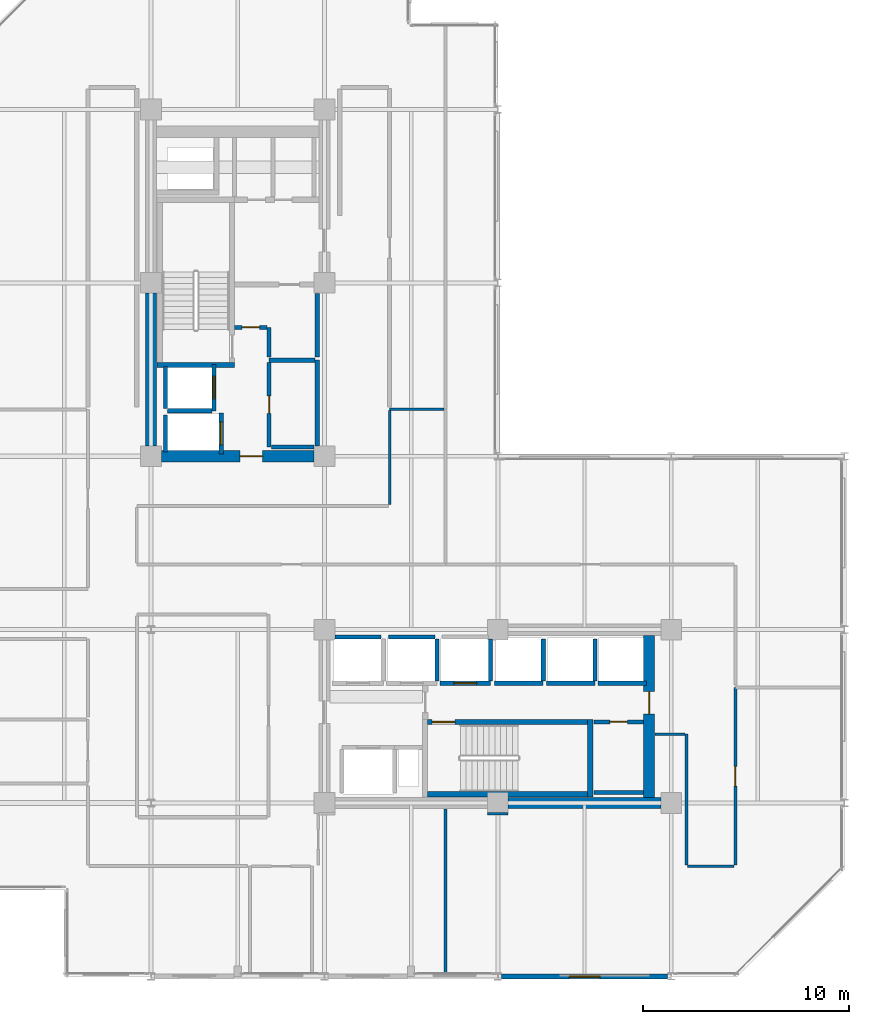
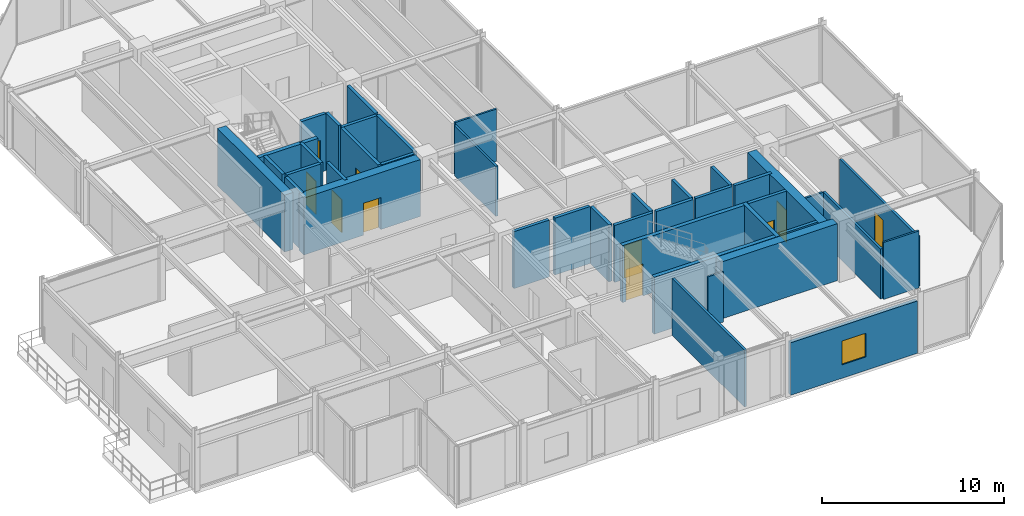
# One storey, part 25 of 29: 41 walls, 10 doors, 1 window, 11 openings.
"""IFC4 building model written with IfcOpenShell, lengths in metres."""

from ifc_helpers import new_model, si_unit, direction, frame, frame_2d, origin, place, context, subcontext, project, spatial, rectangle, extrude, material, layer, layer_set, type_object, element, fill, save


model = new_model("IFC4")

# Units and contexts
model_context = context("Model", 3, precision=1e-05, world=origin(), true_north=direction((0.0, 1.0)))
body_context = subcontext(model_context, "Body", "Model", "MODEL_VIEW")
ifc_project = project(units=[si_unit("LENGTHUNIT", "METRE"), si_unit("AREAUNIT", "SQUARE_METRE"), si_unit("VOLUMEUNIT", "CUBIC_METRE"), si_unit("PLANEANGLEUNIT", "RADIAN"), si_unit("MASSUNIT", "GRAM", prefix="KILO")], contexts=[model_context])

# Site, building, storey
site_placement = place(None, origin())
site = spatial("IfcSite", under=ifc_project, at=site_placement, CompositionType="ELEMENT")
building_placement = place(site_placement, origin())
building = spatial("IfcBuilding", under=site, at=building_placement, Name="Nerrivon Quay Data Exchange", CompositionType="ELEMENT")
storey_placement = place(building_placement, frame((0.0, 0.0, 208.300048828125)))
storey = spatial("IfcBuildingStorey", under=building, at=storey_placement, Name="L49", CompositionType="ELEMENT", Elevation=208.300048828125)

# Wall, opening, window
ifc_material_1 = material(Name="Architectural terracotta precast concrete N50 (50 MPa)", Category="masonry")
ifc_layer_1 = layer(ifc_material_1, 0.239990234375)
ifc_layer_set_1 = layer_set([ifc_layer_1], Name="Architectural terracotta precast concrete N50 (50 MPa)")
wall_type_1 = type_object("IfcWallType", Name="EW-PREC-240", PredefinedType="STANDARD", material=ifc_layer_set_1)
wall_1_placement = place(storey_placement, frame((33.425048828125, 0.0, 0.0), z_axis=(0.0, 0.0, 1.0), x_axis=(-1.0, 0.0, 0.0)))
wall_1 = element("IfcWall", 1, at=wall_1_placement, inside=storey, type_object=wall_type_1, Name="L49 Podium Precast Spandrel Wall 23", PredefinedType="STANDARD", context=body_context, shape_type="SweptSolid", body=[
    extrude(rectangle(XDim=8.050048828125, YDim=0.239990234375, at=frame_2d((4.02490234375, 0.0))), origin(), (0.0, 0.0, 1.0), 3.52490234375),
])
opening_1_placement = place(wall_1_placement, frame((3.27490234375, 0.0, 0.89990234375)))
opening_1 = element("IfcOpeningElement", 2, at=opening_1_placement, cuts=wall_1, Name="Opening WN4", PredefinedType="OPENING", context=body_context, shape_type="SweptSolid", body=[
    extrude(rectangle(XDim=1.5, YDim=1.60009765625, at=frame_2d((0.75, 0.800048828125))), frame((0.0, 0.1298828125, 0.0), z_axis=(0.0, -1.0, 0.0), x_axis=(1.0, 0.0, 0.0)), (0.0, 0.0, 1.0), 0.260009765625),
])
ifc_material_2 = material(Name="Double-glazed low-E solar control glass", Category="glass")
window_type = type_object("IfcWindowType", Name="WIN-W4-1500x1600", PartitioningType="SINGLE_PANEL", PredefinedType="WINDOW", material=ifc_material_2)
window_placement = place(opening_1_placement, origin())
window = element("IfcWindow", 3, at=window_placement, inside=storey, type_object=window_type, Name="L49 Solar Facade Window 23", OverallHeight=1.60009765625, OverallWidth=1.5, PartitioningType="SINGLE_PANEL", PredefinedType="WINDOW", context=body_context, shape_type="SweptSolid", body=[
    extrude(rectangle(XDim=1.5, YDim=1.60009765625, at=frame_2d((0.75, 0.800048828125))), frame((0.0, 0.030029296875, 0.0), z_axis=(0.0, -1.0, 0.0), x_axis=(1.0, 0.0, 0.0)), (0.0, 0.0, 1.0), 0.06005859375),
])
fill(opening_1, window)

# Wall
ifc_material_3 = material(Name="Concrete S65 (65 MPa)", Category="concrete")
ifc_layer_2 = layer(ifc_material_3, 0.550048828125)
ifc_layer_set_2 = layer_set([ifc_layer_2], Name="Concrete S65 (65 MPa)")
wall_type_2 = type_object("IfcWallType", Name="WALL-CW-700", PredefinedType="SHEAR", material=ifc_layer_set_2)
wall_2_placement = place(storey_placement, frame((8.39990234375, 25.699951171875, 0.0), z_axis=(0.0, 0.0, 1.0), x_axis=(0.0, 1.0, 0.0)))
element("IfcWall", 4, at=wall_2_placement, inside=storey, type_object=wall_type_2, Name="L49 West Split-Core Shear Wall WCW-W1", PredefinedType="SHEAR", context=body_context, shape_type="SweptSolid", body=[
    extrude(rectangle(XDim=7.400146484375, YDim=0.550048828125, at=frame_2d((3.7001953125, 0.0))), origin(), (0.0, 0.0, 1.0), 3.824951171875),
])

# Wall, opening, door
wall_3_placement = place(storey_placement, frame((8.89990234375, 25.199951171875, 0.0), z_axis=(0.0, 0.0, 1.0), x_axis=(1.0, 0.0, 0.0)))
wall_3 = element("IfcWall", 5, at=wall_3_placement, inside=storey, type_object=wall_type_2, Name="L49 West Split-Core Shear Wall WCW-S1", PredefinedType="SHEAR", context=body_context, shape_type="SweptSolid", body=[
    extrude(rectangle(XDim=7.400146484375, YDim=0.550048828125, at=frame_2d((3.7001953125, 0.0))), origin(), (0.0, 0.0, 1.0), 3.824951171875),
])
opening_2_placement = place(wall_3_placement, frame((3.800048828125, 0.0, 0.0)))
opening_2 = element("IfcOpeningElement", 6, at=opening_2_placement, cuts=wall_3, Name="Opening FD-120", PredefinedType="OPENING", context=body_context, shape_type="SweptSolid", body=[
    extrude(rectangle(XDim=1.10009765625, YDim=2.14990234375, at=frame_2d((0.550048828125, 1.074951171875))), frame((0.0, 0.284912109375, 0.0), z_axis=(0.0, -1.0, 0.0), x_axis=(1.0, 0.0, 0.0)), (0.0, 0.0, 1.0), 0.570068359375),
])
ifc_material_4 = material(Name="Powder-coated galvanized steel sheet", Category="steel")
door_type_1 = type_object("IfcDoorType", Name="DR-FD120-1100", OperationType="NOTDEFINED", PredefinedType="DOOR", material=ifc_material_4)
door_1_placement = place(opening_2_placement, origin())
door_1 = element("IfcDoor", 7, at=door_1_placement, inside=storey, type_object=door_type_1, Name="L49 West Core Lobby Fire Door", OperationType="SINGLE_SWING_RIGHT", OverallHeight=2.14990234375, OverallWidth=1.10009765625, PredefinedType="DOOR", context=body_context, shape_type="SweptSolid", body=[
    extrude(rectangle(XDim=1.10009765625, YDim=2.14990234375, at=frame_2d((0.550048828125, 1.074951171875))), frame((0.0, 0.02490234375, 0.0), z_axis=(0.0, -1.0, 0.0), x_axis=(1.0, 0.0, 0.0)), (0.0, 0.0, 1.0), 0.050048828125),
])
fill(opening_2, door_1)

# Wall
wall_4_placement = place(storey_placement, frame((25.699951171875, 8.39990234375, 0.0), z_axis=(0.0, 0.0, 1.0), x_axis=(1.0, 0.0, 0.0)))
element("IfcWall", 8, at=wall_4_placement, inside=storey, type_object=wall_type_2, Name="L49 East Split-Core Shear Wall ECW-S2", PredefinedType="SHEAR", context=body_context, shape_type="SweptSolid", body=[
    extrude(rectangle(XDim=7.400146484375, YDim=0.550048828125, at=frame_2d((3.7001953125, 0.0))), origin(), (0.0, 0.0, 1.0), 3.824951171875),
])

# Wall, opening, door
wall_5_placement = place(storey_placement, frame((32.52490234375, 8.675048828125, 0.0), z_axis=(0.0, 0.0, 1.0), x_axis=(0.0, 1.0, 0.0)))
wall_5 = element("IfcWall", 9, at=wall_5_placement, inside=storey, type_object=wall_type_2, Name="L49 East Split-Core Shear Wall ECW-E1", PredefinedType="SHEAR", context=body_context, shape_type="SweptSolid", body=[
    extrude(rectangle(XDim=7.849853515625, YDim=0.550048828125, at=frame_2d((3.9248046875, 0.0))), origin(), (0.0, 0.0, 1.0), 3.824951171875),
])
opening_3_placement = place(wall_5_placement, frame((4.02490234375, 0.0, 0.0)))
opening_3 = element("IfcOpeningElement", 10, at=opening_3_placement, cuts=wall_5, Name="Opening FD-120", PredefinedType="OPENING", context=body_context, shape_type="SweptSolid", body=[
    extrude(rectangle(XDim=1.10009765625, YDim=2.14990234375, at=frame_2d((0.550048828125, 1.074951171875))), frame((0.0, 0.284912109375, 0.0), z_axis=(0.0, -1.0, 0.0), x_axis=(1.0, 0.0, 0.0)), (0.0, 0.0, 1.0), 0.570068359375),
])
door_2_placement = place(opening_3_placement, origin())
door_2 = element("IfcDoor", 11, at=door_2_placement, inside=storey, type_object=door_type_1, Name="L49 East Core Lobby Fire Door", OperationType="SINGLE_SWING_LEFT", OverallHeight=2.14990234375, OverallWidth=1.10009765625, PredefinedType="DOOR", context=body_context, shape_type="SweptSolid", body=[
    extrude(rectangle(XDim=1.10009765625, YDim=2.14990234375, at=frame_2d((0.550048828125, 1.074951171875))), frame((0.0, 0.02490234375, 0.0), z_axis=(0.0, -1.0, 0.0), x_axis=(1.0, 0.0, 0.0)), (0.0, 0.0, 1.0), 0.050048828125),
])
fill(opening_3, door_2)

ifc_material_5 = material(Name="Gypsum plasterboard on cold-formed framing", Category="gypsum")
ifc_layer_3 = layer(ifc_material_5, 0.199951171875)
ifc_layer_set_3 = layer_set([ifc_layer_3], Name="Gypsum plasterboard on cold-formed framing")
wall_type_3 = type_object("IfcWallType", Name="WALL-FW-200", PredefinedType="PARTITIONING", material=ifc_layer_set_3)
wall_6_placement = place(storey_placement, frame((11.449951171875, 27.39990234375, 0.0), z_axis=(0.0, 0.0, 1.0), x_axis=(0.0, 1.0, 0.0)))
wall_6 = element("IfcWall", 12, at=wall_6_placement, inside=storey, type_object=wall_type_3, Name="L49 Lift Front Wall FFL-1", PredefinedType="PARTITIONING", context=body_context, shape_type="SweptSolid", body=[
    extrude(rectangle(XDim=2.25, YDim=0.199951171875, at=frame_2d((1.125, 0.0))), origin(), (0.0, 0.0, 1.0), 3.824951171875),
])
opening_4_placement = place(wall_6_placement, frame((0.574951171875, 0.0, 0.0)))
opening_4 = element("IfcOpeningElement", 13, at=opening_4_placement, cuts=wall_6, Name="Opening LD-120", PredefinedType="OPENING", context=body_context, shape_type="SweptSolid", body=[
    extrude(rectangle(XDim=1.10009765625, YDim=2.199951171875, at=frame_2d((0.550048828125, 1.10009765625))), frame((0.0, 0.10986328125, 0.0), z_axis=(0.0, -1.0, 0.0), x_axis=(1.0, 0.0, 0.0)), (0.0, 0.0, 1.0), 0.219970703125),
])
door_type_2 = type_object("IfcDoorType", Name="DR-LIFT-LD120", OperationType="DOUBLE_DOOR_SLIDING", PredefinedType="DOOR", material=ifc_material_4)
door_3_placement = place(opening_4_placement, origin())
door_3 = element("IfcDoor", 14, at=door_3_placement, inside=storey, type_object=door_type_2, Name="L49 Lift Landing Sliding Door FFL-1", OperationType="DOUBLE_DOOR_SLIDING", OverallHeight=2.199951171875, OverallWidth=1.10009765625, PredefinedType="DOOR", context=body_context, shape_type="SweptSolid", body=[
    extrude(rectangle(XDim=1.10009765625, YDim=2.199951171875, at=frame_2d((0.550048828125, 1.10009765625))), frame((0.0, 0.02490234375, 0.0), z_axis=(0.0, -1.0, 0.0), x_axis=(1.0, 0.0, 0.0)), (0.0, 0.0, 1.0), 0.050048828125),
])
fill(opening_4, door_3)

# Walls
wall_7_placement = place(storey_placement, frame((9.10009765625, 27.5, 0.0), z_axis=(0.0, 0.0, 1.0), x_axis=(0.0, 1.0, 0.0)))
element("IfcWall", 15, at=wall_7_placement, inside=storey, type_object=wall_type_3, Name="L49 Lift Shaft Wall FFL-1 WEST", PredefinedType="PARTITIONING", context=body_context, shape_type="SweptSolid", body=[
    extrude(rectangle(XDim=2.050048828125, YDim=0.199951171875, at=frame_2d((1.02490234375, 0.0))), origin(), (0.0, 0.0, 1.0), 3.824951171875),
])
wall_8_placement = place(storey_placement, frame((9.199951171875, 27.39990234375, 0.0), z_axis=(0.0, 0.0, 1.0), x_axis=(1.0, 0.0, 0.0)))
element("IfcWall", 16, at=wall_8_placement, inside=storey, type_object=wall_type_3, Name="L49 Lift Shaft Wall FFL-1 SOUTH", PredefinedType="PARTITIONING", context=body_context, shape_type="SweptSolid", body=[
    extrude(rectangle(XDim=2.150146484375, YDim=0.199951171875, at=frame_2d((1.0751953125, 0.0))), origin(), (0.0, 0.0, 1.0), 3.824951171875),
])

# Wall, opening, door
wall_9_placement = place(storey_placement, frame((11.800048828125, 25.300048828125, 0.0), z_axis=(0.0, 0.0, 1.0), x_axis=(0.0, 1.0, 0.0)))
wall_9 = element("IfcWall", 17, at=wall_9_placement, inside=storey, type_object=wall_type_3, Name="L49 Lift Front Wall SVL-1", PredefinedType="PARTITIONING", context=body_context, shape_type="SweptSolid", body=[
    extrude(rectangle(XDim=2.0, YDim=0.199951171875, at=frame_2d((1.0, 0.0))), origin(), (0.0, 0.0, 1.0), 3.824951171875),
])
opening_5_placement = place(wall_9_placement, frame((0.449951171875, 0.0, 0.0)))
opening_5 = element("IfcOpeningElement", 18, at=opening_5_placement, cuts=wall_9, Name="Opening LD-120", PredefinedType="OPENING", context=body_context, shape_type="SweptSolid", body=[
    extrude(rectangle(XDim=1.10009765625, YDim=2.199951171875, at=frame_2d((0.550048828125, 1.10009765625))), frame((0.0, 0.10986328125, 0.0), z_axis=(0.0, -1.0, 0.0), x_axis=(1.0, 0.0, 0.0)), (0.0, 0.0, 1.0), 0.219970703125),
])
door_4_placement = place(opening_5_placement, origin())
door_4 = element("IfcDoor", 19, at=door_4_placement, inside=storey, type_object=door_type_2, Name="L49 Lift Landing Sliding Door SVL-1", OperationType="DOUBLE_DOOR_SLIDING", OverallHeight=2.199951171875, OverallWidth=1.10009765625, PredefinedType="DOOR", context=body_context, shape_type="SweptSolid", body=[
    extrude(rectangle(XDim=1.10009765625, YDim=2.199951171875, at=frame_2d((0.550048828125, 1.10009765625))), frame((0.0, 0.02490234375, 0.0), z_axis=(0.0, -1.0, 0.0), x_axis=(1.0, 0.0, 0.0)), (0.0, 0.0, 1.0), 0.050048828125),
])
fill(opening_5, door_4)

# Walls
wall_10_placement = place(storey_placement, frame((9.10009765625, 25.39990234375, 0.0), z_axis=(0.0, 0.0, 1.0), x_axis=(0.0, 1.0, 0.0)))
element("IfcWall", 20, at=wall_10_placement, inside=storey, type_object=wall_type_3, Name="L49 Lift Shaft Wall SVL-1 WEST", PredefinedType="PARTITIONING", context=body_context, shape_type="SweptSolid", body=[
    extrude(rectangle(XDim=1.800048828125, YDim=0.199951171875, at=frame_2d((0.89990234375, 0.0))), origin(), (0.0, 0.0, 1.0), 3.824951171875),
])
wall_11_placement = place(storey_placement, frame((17.300048828125, 16.449951171875, 0.0), z_axis=(0.0, 0.0, 1.0), x_axis=(1.0, 0.0, 0.0)))
element("IfcWall", 21, at=wall_11_placement, inside=storey, type_object=wall_type_3, Name="L49 Lift Shaft Wall PL4 NORTH", PredefinedType="PARTITIONING", context=body_context, shape_type="SweptSolid", body=[
    extrude(rectangle(XDim=2.25, YDim=0.199951171875, at=frame_2d((1.125, 0.0))), origin(), (0.0, 0.0, 1.0), 3.824951171875),
])
wall_12_placement = place(storey_placement, frame((22.25, 14.300048828125, 0.0), z_axis=(0.0, 0.0, 1.0), x_axis=(0.0, 1.0, 0.0)))
element("IfcWall", 22, at=wall_12_placement, inside=storey, type_object=wall_type_3, Name="L49 Lift Shaft Wall PL5 EAST", PredefinedType="PARTITIONING", context=body_context, shape_type="SweptSolid", body=[
    extrude(rectangle(XDim=2.050048828125, YDim=0.199951171875, at=frame_2d((1.02490234375, 0.0))), origin(), (0.0, 0.0, 1.0), 3.824951171875),
])
wall_13_placement = place(storey_placement, frame((19.89990234375, 16.449951171875, 0.0), z_axis=(0.0, 0.0, 1.0), x_axis=(1.0, 0.0, 0.0)))
element("IfcWall", 23, at=wall_13_placement, inside=storey, type_object=wall_type_3, Name="L49 Lift Shaft Wall PL5 NORTH", PredefinedType="PARTITIONING", context=body_context, shape_type="SweptSolid", body=[
    extrude(rectangle(XDim=2.25, YDim=0.199951171875, at=frame_2d((1.125, 0.0))), origin(), (0.0, 0.0, 1.0), 3.824951171875),
])

# Wall, opening, door
wall_14_placement = place(storey_placement, frame((22.39990234375, 14.199951171875, 0.0), z_axis=(0.0, 0.0, 1.0), x_axis=(1.0, 0.0, 0.0)))
wall_14 = element("IfcWall", 24, at=wall_14_placement, inside=storey, type_object=wall_type_3, Name="L49 Lift Front Wall PL6", PredefinedType="PARTITIONING", context=body_context, shape_type="SweptSolid", body=[
    extrude(rectangle(XDim=2.4501953125, YDim=0.199951171875, at=frame_2d((1.22509765625, 0.0))), origin(), (0.0, 0.0, 1.0), 3.824951171875),
])
opening_6_placement = place(wall_14_placement, frame((0.675048828125, 0.0, 0.0)))
opening_6 = element("IfcOpeningElement", 25, at=opening_6_placement, cuts=wall_14, Name="Opening LD-120", PredefinedType="OPENING", context=body_context, shape_type="SweptSolid", body=[
    extrude(rectangle(XDim=1.10009765625, YDim=2.199951171875, at=frame_2d((0.550048828125, 1.10009765625))), frame((0.0, 0.10986328125, 0.0), z_axis=(0.0, -1.0, 0.0), x_axis=(1.0, 0.0, 0.0)), (0.0, 0.0, 1.0), 0.219970703125),
])
door_5_placement = place(opening_6_placement, origin())
door_5 = element("IfcDoor", 26, at=door_5_placement, inside=storey, type_object=door_type_2, Name="L49 Lift Landing Sliding Door PL6", OperationType="DOUBLE_DOOR_SLIDING", OverallHeight=2.199951171875, OverallWidth=1.10009765625, PredefinedType="DOOR", context=body_context, shape_type="SweptSolid", body=[
    extrude(rectangle(XDim=1.10009765625, YDim=2.199951171875, at=frame_2d((0.550048828125, 1.10009765625))), frame((0.0, 0.02490234375, 0.0), z_axis=(0.0, -1.0, 0.0), x_axis=(1.0, 0.0, 0.0)), (0.0, 0.0, 1.0), 0.050048828125),
])
fill(opening_6, door_5)

# Walls
wall_15_placement = place(storey_placement, frame((24.85009765625, 14.300048828125, 0.0), z_axis=(0.0, 0.0, 1.0), x_axis=(0.0, 1.0, 0.0)))
element("IfcWall", 27, at=wall_15_placement, inside=storey, type_object=wall_type_3, Name="L49 Lift Shaft Wall PL6 EAST", PredefinedType="PARTITIONING", context=body_context, shape_type="SweptSolid", body=[
    extrude(rectangle(XDim=2.050048828125, YDim=0.199951171875, at=frame_2d((1.02490234375, 0.0))), origin(), (0.0, 0.0, 1.0), 3.824951171875),
])
wall_16_placement = place(storey_placement, frame((25.050048828125, 14.199951171875, 0.0), z_axis=(0.0, 0.0, 1.0), x_axis=(1.0, 0.0, 0.0)))
element("IfcWall", 28, at=wall_16_placement, inside=storey, type_object=wall_type_3, Name="L49 Lift Front Wall PL7", PredefinedType="PARTITIONING", context=body_context, shape_type="SweptSolid", body=[
    extrude(rectangle(XDim=2.349853515625, YDim=0.199951171875, at=frame_2d((1.1748046875, 0.0))), origin(), (0.0, 0.0, 1.0), 3.824951171875),
])
wall_17_placement = place(storey_placement, frame((27.39990234375, 14.300048828125, 0.0), z_axis=(0.0, 0.0, 1.0), x_axis=(0.0, 1.0, 0.0)))
element("IfcWall", 29, at=wall_17_placement, inside=storey, type_object=wall_type_3, Name="L49 Lift Shaft Wall PL7 EAST", PredefinedType="PARTITIONING", context=body_context, shape_type="SweptSolid", body=[
    extrude(rectangle(XDim=2.050048828125, YDim=0.199951171875, at=frame_2d((1.02490234375, 0.0))), origin(), (0.0, 0.0, 1.0), 3.824951171875),
])
wall_18_placement = place(storey_placement, frame((27.550048828125, 14.199951171875, 0.0), z_axis=(0.0, 0.0, 1.0), x_axis=(1.0, 0.0, 0.0)))
element("IfcWall", 30, at=wall_18_placement, inside=storey, type_object=wall_type_3, Name="L49 Lift Front Wall PL8", PredefinedType="PARTITIONING", context=body_context, shape_type="SweptSolid", body=[
    extrude(rectangle(XDim=2.349853515625, YDim=0.199951171875, at=frame_2d((1.1748046875, 0.0))), origin(), (0.0, 0.0, 1.0), 3.824951171875),
])
wall_19_placement = place(storey_placement, frame((29.89990234375, 14.300048828125, 0.0), z_axis=(0.0, 0.0, 1.0), x_axis=(0.0, 1.0, 0.0)))
element("IfcWall", 31, at=wall_19_placement, inside=storey, type_object=wall_type_3, Name="L49 Lift Shaft Wall PL8 EAST", PredefinedType="PARTITIONING", context=body_context, shape_type="SweptSolid", body=[
    extrude(rectangle(XDim=2.050048828125, YDim=0.199951171875, at=frame_2d((1.02490234375, 0.0))), origin(), (0.0, 0.0, 1.0), 3.824951171875),
])
wall_20_placement = place(storey_placement, frame((30.050048828125, 14.199951171875, 0.0), z_axis=(0.0, 0.0, 1.0), x_axis=(1.0, 0.0, 0.0)))
element("IfcWall", 32, at=wall_20_placement, inside=storey, type_object=wall_type_3, Name="L49 Lift Front Wall PL9", PredefinedType="PARTITIONING", context=body_context, shape_type="SweptSolid", body=[
    extrude(rectangle(XDim=2.349853515625, YDim=0.199951171875, at=frame_2d((1.1748046875, 0.0))), origin(), (0.0, 0.0, 1.0), 3.824951171875),
])
wall_21_placement = place(storey_placement, frame((16.449951171875, 25.705078125, 0.0), z_axis=(0.0, 0.0, 1.0), x_axis=(0.0, 1.0, 0.0)))
element("IfcWall", 33, at=wall_21_placement, inside=storey, type_object=wall_type_3, Name="L49 Partition Telemetry Hub Closet", PredefinedType="PARTITIONING", context=body_context, shape_type="SweptSolid", body=[
    extrude(rectangle(XDim=4.14501953125, YDim=0.199951171875, at=frame_2d((2.072509765625, 0.0))), origin(), (0.0, 0.0, 1.0), 3.824951171875),
])
wall_22_placement = place(storey_placement, frame((16.345947265625, 29.85009765625, 0.0), z_axis=(0.0, 0.0, 1.0), x_axis=(-1.0, 0.0, 0.0)))
element("IfcWall", 34, at=wall_22_placement, inside=storey, type_object=wall_type_3, Name="L49 Partition Telemetry Hub Closet", PredefinedType="PARTITIONING", context=body_context, shape_type="SweptSolid", body=[
    extrude(rectangle(XDim=2.225830078125, YDim=0.199951171875, at=frame_2d((1.11279296875, 0.0))), origin(), (0.0, 0.0, 1.0), 3.824951171875),
])

# Wall, opening, door
wall_23_placement = place(storey_placement, frame((14.1201171875, 29.74609375, 0.0), z_axis=(0.0, 0.0, 1.0), x_axis=(0.0, -1.0, 0.0)))
wall_23 = element("IfcWall", 35, at=wall_23_placement, inside=storey, type_object=wall_type_3, Name="L49 Partition Telemetry Hub Closet", PredefinedType="PARTITIONING", context=body_context, shape_type="SweptSolid", body=[
    extrude(rectangle(XDim=4.09619140625, YDim=0.199951171875, at=frame_2d((2.048095703125, 0.0))), origin(), (0.0, 0.0, 1.0), 3.824951171875),
])
opening_7_placement = place(wall_23_placement, frame((1.623046875, 0.0, 0.0)))
opening_7 = element("IfcOpeningElement", 36, at=opening_7_placement, cuts=wall_23, Name="Opening FD-60S", PredefinedType="OPENING", context=body_context, shape_type="SweptSolid", body=[
    extrude(rectangle(XDim=0.85009765625, YDim=2.14990234375, at=frame_2d((0.425048828125, 1.074951171875))), frame((0.0, 0.10986328125, 0.0), z_axis=(0.0, -1.0, 0.0), x_axis=(1.0, 0.0, 0.0)), (0.0, 0.0, 1.0), 0.219970703125),
])
ifc_material_6 = material(Name="Engineered hardwood timber", Category="wood")
door_type_3 = type_object("IfcDoorType", Name="DR-FD60-850", OperationType="NOTDEFINED", PredefinedType="DOOR", material=ifc_material_6)
door_6_placement = place(opening_7_placement, origin())
door_6 = element("IfcDoor", 37, at=door_6_placement, inside=storey, type_object=door_type_3, Name="L49 Door Telemetry Hub Closet", OperationType="SINGLE_SWING_LEFT", OverallHeight=2.14990234375, OverallWidth=0.85009765625, PredefinedType="DOOR", context=body_context, shape_type="SweptSolid", body=[
    extrude(rectangle(XDim=0.85009765625, YDim=2.14990234375, at=frame_2d((0.425048828125, 1.074951171875))), frame((0.0, 0.02490234375, 0.0), z_axis=(0.0, -1.0, 0.0), x_axis=(1.0, 0.0, 0.0)), (0.0, 0.0, 1.0), 0.050048828125),
])
fill(opening_7, door_6)

# Walls
wall_24_placement = place(storey_placement, frame((14.22412109375, 25.64990234375, 0.0), z_axis=(0.0, 0.0, 1.0), x_axis=(1.0, 0.0, 0.0)))
element("IfcWall", 38, at=wall_24_placement, inside=storey, type_object=wall_type_3, Name="L49 Partition Telemetry Hub Closet", PredefinedType="PARTITIONING", context=body_context, shape_type="SweptSolid", body=[
    extrude(rectangle(XDim=2.07080078125, YDim=0.199951171875, at=frame_2d((1.035400390625, 0.0))), origin(), (0.0, 0.0, 1.0), 3.824951171875),
])
wall_25_placement = place(storey_placement, frame((14.1201171875, 31.43994140625, 0.0), z_axis=(0.0, 0.0, 1.0), x_axis=(0.0, -1.0, 0.0)))
element("IfcWall", 39, at=wall_25_placement, inside=storey, type_object=wall_type_3, Name="L49 Partition Core Equipment Store", PredefinedType="PARTITIONING", context=body_context, shape_type="SweptSolid", body=[
    extrude(rectangle(XDim=1.43994140625, YDim=0.199951171875, at=frame_2d((0.719970703125, 0.0))), origin(), (0.0, 0.0, 1.0), 3.824951171875),
])
wall_26_placement = place(storey_placement, frame((16.449951171875, 30.0, 0.0), z_axis=(0.0, 0.0, 1.0), x_axis=(0.0, 1.0, 0.0)))
element("IfcWall", 40, at=wall_26_placement, inside=storey, type_object=wall_type_3, Name="L49 Partition Core Equipment Store", PredefinedType="PARTITIONING", context=body_context, shape_type="SweptSolid", body=[
    extrude(rectangle(XDim=3.094970703125, YDim=0.199951171875, at=frame_2d((1.54736328125, 0.0))), origin(), (0.0, 0.0, 1.0), 3.824951171875),
])

# Wall, opening, door
wall_27_placement = place(storey_placement, frame((12.4541015625, 31.43994140625, 0.0), z_axis=(0.0, 0.0, 1.0), x_axis=(1.0, 0.0, 0.0)))
wall_27 = element("IfcWall", 41, at=wall_27_placement, inside=storey, type_object=wall_type_3, Name="L49 Partition Core Equipment Store", PredefinedType="PARTITIONING", context=body_context, shape_type="SweptSolid", body=[
    extrude(rectangle(XDim=1.56201171875, YDim=0.199951171875, at=frame_2d((0.781005859375, 0.0))), origin(), (0.0, 0.0, 1.0), 3.824951171875),
])
opening_8_placement = place(wall_27_placement, frame((0.35595703125, 0.0, 0.0)))
opening_8 = element("IfcOpeningElement", 42, at=opening_8_placement, cuts=wall_27, Name="Opening FD-60S", PredefinedType="OPENING", context=body_context, shape_type="SweptSolid", body=[
    extrude(rectangle(XDim=0.85009765625, YDim=2.14990234375, at=frame_2d((0.425048828125, 1.074951171875))), frame((0.0, 0.10986328125, 0.0), z_axis=(0.0, -1.0, 0.0), x_axis=(1.0, 0.0, 0.0)), (0.0, 0.0, 1.0), 0.219970703125),
])
door_7_placement = place(opening_8_placement, origin())
door_7 = element("IfcDoor", 43, at=door_7_placement, inside=storey, type_object=door_type_3, Name="L49 Door Core Equipment Store", OperationType="SINGLE_SWING_RIGHT", OverallHeight=2.14990234375, OverallWidth=0.85009765625, PredefinedType="DOOR", context=body_context, shape_type="SweptSolid", body=[
    extrude(rectangle(XDim=0.85009765625, YDim=2.14990234375, at=frame_2d((0.425048828125, 1.074951171875))), frame((0.0, 0.02490234375, 0.0), z_axis=(0.0, -1.0, 0.0), x_axis=(1.0, 0.0, 0.0)), (0.0, 0.0, 1.0), 0.050048828125),
])
fill(opening_8, door_7)

wall_28_placement = place(storey_placement, frame((32.24609375, 12.330078125, 0.0), z_axis=(0.0, 0.0, 1.0), x_axis=(-1.0, 0.0, 0.0)))
wall_28 = element("IfcWall", 44, at=wall_28_placement, inside=storey, type_object=wall_type_3, Name="L49 Partition East Supply Store", PredefinedType="PARTITIONING", context=body_context, shape_type="SweptSolid", body=[
    extrude(rectangle(XDim=2.39599609375, YDim=0.199951171875, at=frame_2d((1.197998046875, 0.0))), origin(), (0.0, 0.0, 1.0), 3.824951171875),
])
opening_9_placement = place(wall_28_placement, frame((0.77294921875, 0.0, 0.0)))
opening_9 = element("IfcOpeningElement", 45, at=opening_9_placement, cuts=wall_28, Name="Opening FD-60S", PredefinedType="OPENING", context=body_context, shape_type="SweptSolid", body=[
    extrude(rectangle(XDim=0.85009765625, YDim=2.14990234375, at=frame_2d((0.425048828125, 1.074951171875))), frame((0.0, 0.10986328125, 0.0), z_axis=(0.0, -1.0, 0.0), x_axis=(1.0, 0.0, 0.0)), (0.0, 0.0, 1.0), 0.219970703125),
])
door_8_placement = place(opening_9_placement, origin())
door_8 = element("IfcDoor", 46, at=door_8_placement, inside=storey, type_object=door_type_3, Name="L49 Door East Supply Store", OperationType="SINGLE_SWING_LEFT", OverallHeight=2.14990234375, OverallWidth=0.85009765625, PredefinedType="DOOR", context=body_context, shape_type="SweptSolid", body=[
    extrude(rectangle(XDim=0.85009765625, YDim=2.14990234375, at=frame_2d((0.425048828125, 1.074951171875))), frame((0.0, 0.02490234375, 0.0), z_axis=(0.0, -1.0, 0.0), x_axis=(1.0, 0.0, 0.0)), (0.0, 0.0, 1.0), 0.050048828125),
])
fill(opening_9, door_8)

# Walls
wall_29_placement = place(storey_placement, frame((29.85009765625, 8.89990234375, 0.0), z_axis=(0.0, 0.0, 1.0), x_axis=(1.0, 0.0, 0.0)))
element("IfcWall", 47, at=wall_29_placement, inside=storey, type_object=wall_type_3, Name="L49 Partition East Supply Store", PredefinedType="PARTITIONING", context=body_context, shape_type="SweptSolid", body=[
    extrude(rectangle(XDim=2.39599609375, YDim=0.199951171875, at=frame_2d((1.197998046875, 0.0))), origin(), (0.0, 0.0, 1.0), 3.824951171875),
])
ifc_layer_4 = layer(ifc_material_5, 0.1201171875)
ifc_layer_set_4 = layer_set([ifc_layer_4], Name="Gypsum plasterboard on cold-formed framing")
wall_type_4 = type_object("IfcWallType", Name="WALL-PT-120", PredefinedType="PARTITIONING", material=ifc_layer_set_4)
wall_30_placement = place(storey_placement, frame((22.593994140625, 27.46923828125, 0.0), z_axis=(0.0, 0.0, 1.0), x_axis=(-1.0, 0.0, 0.0)))
element("IfcWall", 48, at=wall_30_placement, inside=storey, type_object=wall_type_4, Name="L49 Partition Network Security Control", PredefinedType="PARTITIONING", context=body_context, shape_type="SweptSolid", body=[
    extrude(rectangle(XDim=2.634033203125, YDim=0.1201171875, at=frame_2d((1.31689453125, 0.0))), origin(), (0.0, 0.0, 1.0), 3.51806640625),
])
wall_31_placement = place(storey_placement, frame((36.64990234375, 5.340087890625, 0.0), z_axis=(0.0, 0.0, 1.0), x_axis=(-1.0, 0.0, 0.0)))
element("IfcWall", 49, at=wall_31_placement, inside=storey, type_object=wall_type_4, Name="L49 Partition Quiet Reading Room", PredefinedType="PARTITIONING", context=body_context, shape_type="SweptSolid", body=[
    extrude(rectangle(XDim=2.25, YDim=0.1201171875, at=frame_2d((1.125, 0.0))), origin(), (0.0, 0.0, 1.0), 3.824951171875),
])
wall_32_placement = place(storey_placement, frame((34.260986328125, 11.739990234375, 0.0), z_axis=(0.0, 0.0, 1.0), x_axis=(-1.0, 0.0, 0.0)))
element("IfcWall", 50, at=wall_32_placement, inside=storey, type_object=wall_type_4, Name="L49 Partition Quiet Reading Room", PredefinedType="PARTITIONING", context=body_context, shape_type="SweptSolid", body=[
    extrude(rectangle(XDim=1.45703125, YDim=0.1201171875, at=frame_2d((0.728515625, 0.0))), origin(), (0.0, 0.0, 1.0), 3.370849609375),
])
wall_33_placement = place(storey_placement, frame((25.703857421875, 7.88037109375, 0.0), z_axis=(0.0, 0.0, 1.0), x_axis=(-0.999999881717, -0.000486381265, 0.0)))
element("IfcWall", 51, at=wall_33_placement, inside=storey, type_object=wall_type_4, Name="L49 Partition Quiet Reading Room", PredefinedType="PARTITIONING", context=body_context, shape_type="SweptSolid", body=[
    extrude(rectangle(XDim=1.00390625, YDim=0.1201171875, at=frame_2d((0.501953125, 0.0))), origin(), (0.0, 0.0, 1.0), 3.370849609375),
])
ifc_layer_5 = layer(ifc_material_5, 0.135009765625)
ifc_layer_set_5 = layer_set([ifc_layer_5], Name="Gypsum plasterboard on cold-formed framing")
wall_type_5 = type_object("IfcWallType", Name="WALL-PT-135", PredefinedType="PARTITIONING", material=ifc_layer_set_5)
wall_34_placement = place(storey_placement, frame((19.9599609375, 27.4052734375, 0.0), z_axis=(0.0, 0.0, 1.0), x_axis=(0.0, -1.0, 0.0)))
element("IfcWall", 52, at=wall_34_placement, inside=storey, type_object=wall_type_5, Name="L49 Partition Network Security Control", PredefinedType="PARTITIONING", context=body_context, shape_type="SweptSolid", body=[
    extrude(rectangle(XDim=4.55517578125, YDim=0.135009765625, at=frame_2d((2.277587890625, 0.0))), origin(), (0.0, 0.0, 1.0), 3.364990234375),
])
ifc_layer_6 = layer(ifc_material_5, 0.14990234375)
ifc_layer_set_6 = layer_set([ifc_layer_6], Name="Gypsum plasterboard on cold-formed framing")
wall_type_6 = type_object("IfcWallType", Name="WALL-PT-150", PredefinedType="PARTITIONING", material=ifc_layer_set_6)
wall_35_placement = place(storey_placement, frame((22.673095703125, 0.1689453125, 0.0), z_axis=(0.0, 0.0, 1.0), x_axis=(0.0, 1.0, 0.0)))
element("IfcWall", 53, at=wall_35_placement, inside=storey, type_object=wall_type_6, Name="L49 Partition Staff Pantry", PredefinedType="PARTITIONING", context=body_context, shape_type="SweptSolid", body=[
    extrude(rectangle(XDim=7.9521484375, YDim=0.14990234375, at=frame_2d((3.97607421875, 0.0))), origin(), (0.0, 0.0, 1.0), 3.824951171875),
])

# Wall, opening, door
wall_36_placement = place(storey_placement, frame((36.7099609375, 14.000244140625, 0.0), z_axis=(0.0, 0.0, 1.0), x_axis=(-2.836799e-05, -0.999999999598, 0.0)))
wall_36 = element("IfcWall", 54, at=wall_36_placement, inside=storey, type_object=wall_type_6, Name="L49 Partition Quiet Reading Room", PredefinedType="PARTITIONING", context=body_context, shape_type="SweptSolid", body=[
    extrude(rectangle(XDim=8.606201171875, YDim=0.14990234375, at=frame_2d((4.30322265625, 0.0))), origin(), (0.0, 0.0, 1.0), 3.364990234375),
])
opening_10_placement = place(wall_36_placement, frame((3.828125, 0.0, 0.0)))
opening_10 = element("IfcOpeningElement", 55, at=opening_10_placement, cuts=wall_36, Name="Opening D-01", PredefinedType="OPENING", context=body_context, shape_type="SweptSolid", body=[
    extrude(rectangle(XDim=0.949951171875, YDim=2.14990234375, at=frame_2d((0.47509765625, 1.074951171875))), frame((0.0, 0.0849609375, 0.0), z_axis=(0.0, -1.0, 0.0), x_axis=(1.0, 0.0, 0.0)), (0.0, 0.0, 1.0), 0.169921875),
])
door_type_4 = type_object("IfcDoorType", Name="DR-INT-950", OperationType="NOTDEFINED", PredefinedType="DOOR", material=ifc_material_6)
door_9_placement = place(opening_10_placement, origin())
door_9 = element("IfcDoor", 56, at=door_9_placement, inside=storey, type_object=door_type_4, Name="L49 Door Quiet Reading Room", OperationType="SINGLE_SWING_LEFT", OverallHeight=2.14990234375, OverallWidth=0.949951171875, PredefinedType="DOOR", context=body_context, shape_type="SweptSolid", body=[
    extrude(rectangle(XDim=0.949951171875, YDim=2.14990234375, at=frame_2d((0.47509765625, 1.074951171875))), frame((0.0, 0.02490234375, 0.0), z_axis=(0.0, -1.0, 0.0), x_axis=(1.0, 0.0, 0.0)), (0.0, 0.0, 1.0), 0.050048828125),
])
fill(opening_10, door_9)

# Walls
wall_37_placement = place(storey_placement, frame((34.340087890625, 5.39990234375, 0.0), z_axis=(0.0, 0.0, 1.0), x_axis=(0.0, 1.0, 0.0)))
element("IfcWall", 57, at=wall_37_placement, inside=storey, type_object=wall_type_6, Name="L49 Partition Quiet Reading Room", PredefinedType="PARTITIONING", context=body_context, shape_type="SweptSolid", body=[
    extrude(rectangle(XDim=6.340087890625, YDim=0.14990234375, at=frame_2d((3.169921875, 0.0))), origin(), (0.0, 0.0, 1.0), 3.364990234375),
])
ifc_material_7 = material(Name="Concrete N50 (50 MPa)", Category="concrete")
ifc_layer_7 = layer(ifc_material_7, 0.25)
ifc_layer_set_7 = layer_set([ifc_layer_7], Name="Concrete N50 (50 MPa)")
wall_type_7 = type_object("IfcWallType", Name="WALL-SW-250", PredefinedType="SHEAR", material=ifc_layer_set_7)
for number, where, z_axis, x_axis, name in (
    (58, (12.449951171875, 29.625, 0.0), (0.0, 0.0, 1.0), (-1.0, 0.0, 0.0), "L49 ST01 Structural Stair Core Wall NEAR"),
    (59, (29.675048828125, 8.699951171875, 0.0), (0.0, 0.0, 1.0), (0.0, 1.0, 0.0), "L49 ST02 Structural Stair Core Wall FAR"),
):
    element("IfcWall", number, at=place(storey_placement, frame(where, z_axis=z_axis, x_axis=x_axis)), inside=storey, type_object=wall_type_7, Name=name, PredefinedType="SHEAR", context=body_context, shape_type="SweptSolid", body=[
        extrude(rectangle(XDim=3.75, YDim=0.25, at=frame_2d((1.875, 0.0))), origin(), (0.0, 0.0, 1.0), 3.824951171875),
    ])
wall_38_placement = place(storey_placement, frame((21.800048828125, 8.824951171875, 0.0), z_axis=(0.0, 0.0, 1.0), x_axis=(1.0, 0.0, 0.0)))
element("IfcWall", 60, at=wall_38_placement, inside=storey, type_object=wall_type_7, Name="L49 ST02 Structural Stair Core Wall LEFT", PredefinedType="SHEAR", context=body_context, shape_type="SweptSolid", body=[
    extrude(rectangle(XDim=7.75, YDim=0.25, at=frame_2d((3.875, 0.0))), origin(), (0.0, 0.0, 1.0), 3.824951171875),
])

# Wall, opening, door
wall_39_placement = place(storey_placement, frame((21.800048828125, 12.324951171875, 0.0), z_axis=(0.0, 0.0, 1.0), x_axis=(1.0, 0.0, 0.0)))
wall_39 = element("IfcWall", 61, at=wall_39_placement, inside=storey, type_object=wall_type_7, Name="L49 ST02 Structural Stair Core Wall RIGHT", PredefinedType="SHEAR", context=body_context, shape_type="SweptSolid", body=[
    extrude(rectangle(XDim=7.75, YDim=0.25, at=frame_2d((3.875, 0.0))), origin(), (0.0, 0.0, 1.0), 3.824951171875),
])
opening_11_placement = place(wall_39_placement, frame((0.219970703125, 0.0, 0.0)))
opening_11 = element("IfcOpeningElement", 62, at=opening_11_placement, cuts=wall_39, Name="Opening FD-120", PredefinedType="OPENING", context=body_context, shape_type="SweptSolid", body=[
    extrude(rectangle(XDim=1.10009765625, YDim=2.14990234375, at=frame_2d((0.550048828125, 1.074951171875))), frame((0.0, 0.135009765625, 0.0), z_axis=(0.0, -1.0, 0.0), x_axis=(1.0, 0.0, 0.0)), (0.0, 0.0, 1.0), 0.27001953125),
])
door_10_placement = place(opening_11_placement, origin())
door_10 = element("IfcDoor", 63, at=door_10_placement, inside=storey, type_object=door_type_1, Name="L49 Protected Stair Door ST02", OperationType="SINGLE_SWING_RIGHT", OverallHeight=2.14990234375, OverallWidth=1.10009765625, PredefinedType="DOOR", context=body_context, shape_type="SweptSolid", body=[
    extrude(rectangle(XDim=1.10009765625, YDim=2.14990234375, at=frame_2d((0.550048828125, 1.074951171875))), frame((0.0, 0.02490234375, 0.0), z_axis=(0.0, -1.0, 0.0), x_axis=(1.0, 0.0, 0.0)), (0.0, 0.0, 1.0), 0.050048828125),
])
fill(opening_11, door_10)

save(model, "model.ifc")
